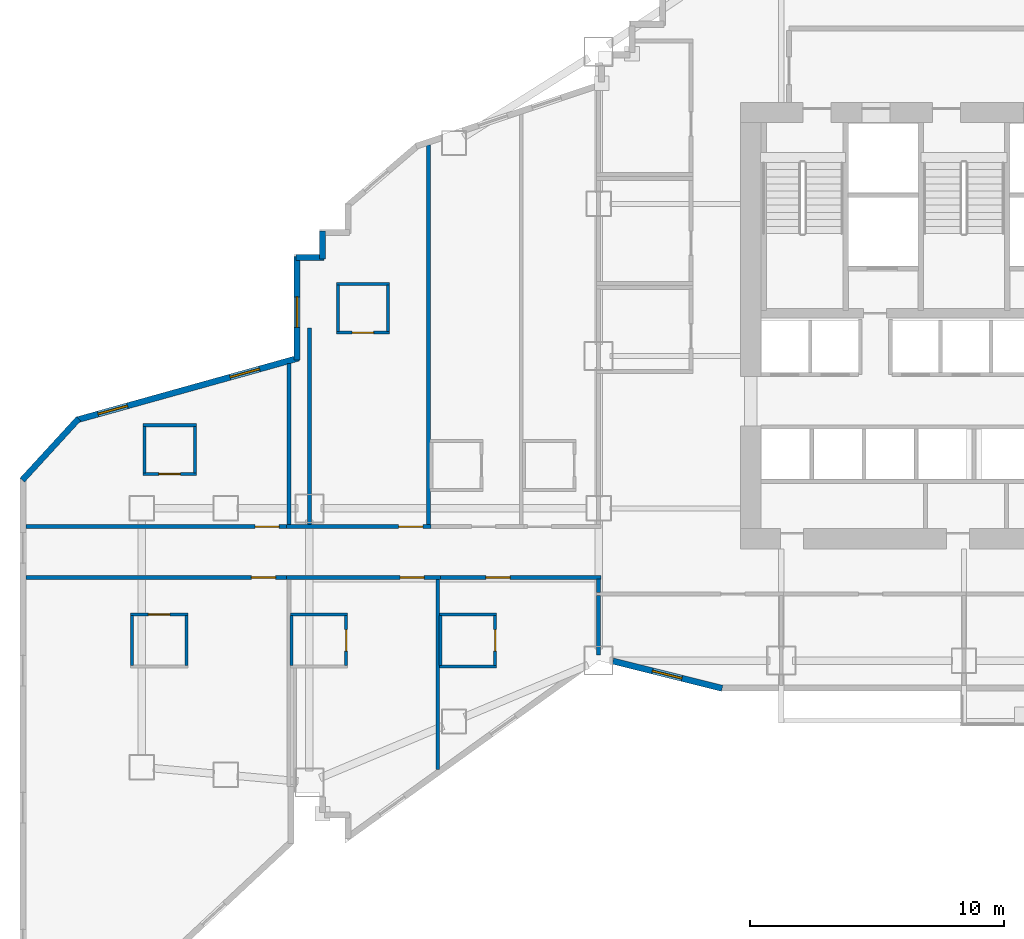
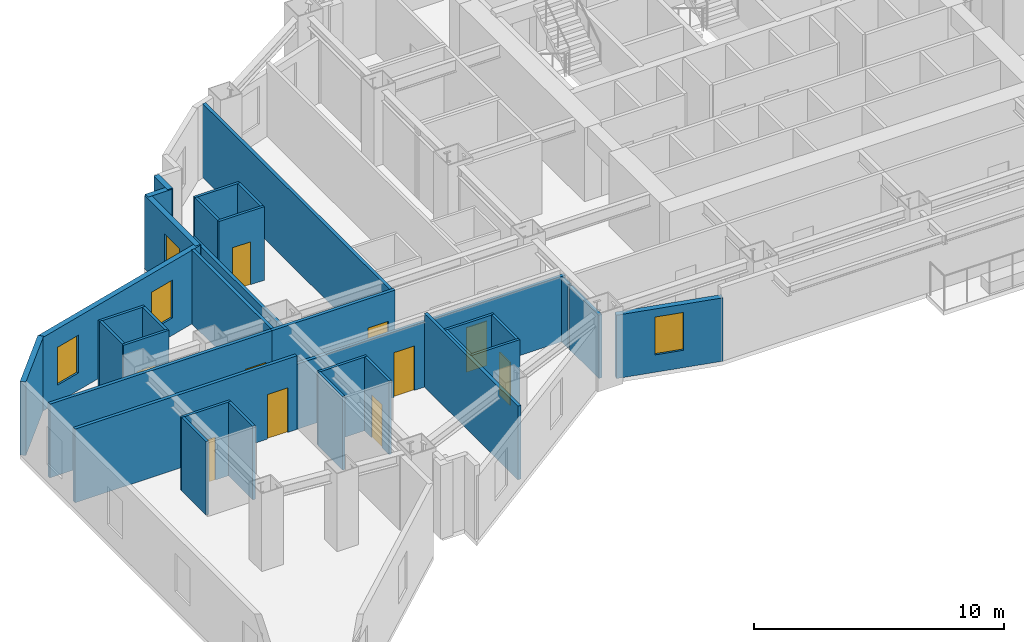
# One storey, part 7 of 15: 35 walls, 10 doors, 4 windows, 14 openings.
"""IFC4 building model written with IfcOpenShell, lengths in metres."""

from ifc_helpers import new_model, si_unit, direction, frame, frame_2d, origin, place, context, subcontext, project, spatial, rectangle, extrude, material, layer, layer_set, type_object, element, fill, save


model = new_model("IFC4")

# Units and contexts
model_context = context("Model", 3, precision=1e-05, world=origin(), true_north=direction((0.0, 1.0)))
body_context = subcontext(model_context, "Body", "Model", "MODEL_VIEW")
ifc_project = project(units=[si_unit("LENGTHUNIT", "METRE"), si_unit("AREAUNIT", "SQUARE_METRE"), si_unit("VOLUMEUNIT", "CUBIC_METRE"), si_unit("PLANEANGLEUNIT", "RADIAN"), si_unit("MASSUNIT", "GRAM", prefix="KILO")], contexts=[model_context])

# Site, building, storey
site_placement = place(None, origin())
site = spatial("IfcSite", under=ifc_project, at=site_placement, CompositionType="ELEMENT")
building_placement = place(site_placement, origin())
building = spatial("IfcBuilding", under=site, at=building_placement, Name="Haolan Belvedere Tower", CompositionType="ELEMENT")
storey_placement = place(building_placement, frame((0.0, 0.0, 70.39990234375)))
storey = spatial("IfcBuildingStorey", under=building, at=storey_placement, Name="L17", CompositionType="ELEMENT", Elevation=70.39990234375)

# Wall, opening, window
ifc_material_1 = material(Name="Precast concrete C40/50", Category="concrete")
ifc_layer_1 = layer(ifc_material_1, 0.239990234375, Name="Precast concrete C40/50")
ifc_layer_set_1 = layer_set([ifc_layer_1], Name="Precast concrete C40/50")
wall_type_1 = type_object("IfcWallType", Name="WL-EXT-240", PredefinedType="SOLIDWALL", material=ifc_layer_set_1)
wall_1_placement = place(storey_placement, frame((24.56689453125, 21.581787109375, 0.0), z_axis=(0.0, 0.0, 1.0), x_axis=(0.970148978127, -0.24250971164, 0.0)))
wall_1 = element("IfcWall", 1, at=wall_1_placement, inside=storey, type_object=wall_type_1, Name="L17 pale-metal exterior spandrel wall 12.1", PredefinedType="SOLIDWALL", context=body_context, shape_type="SweptSolid", body=[
    extrude(rectangle(XDim=4.43359375, YDim=0.239990234375, at=frame_2d((2.216796875, 0.0))), origin(), (0.0, 0.0, 1.0), 3.09716796875),
])
opening_1_placement = place(wall_1_placement, frame((1.60009765625, 0.0, 0.85009765625)))
opening_1 = element("IfcOpeningElement", 2, at=opening_1_placement, cuts=wall_1, Name="Opening W-01", PredefinedType="OPENING", context=body_context, shape_type="SweptSolid", body=[
    extrude(rectangle(XDim=1.199951171875, YDim=1.85009765625, at=frame_2d((0.60009765625, 0.925048828125))), frame((0.0, 0.1298828125, 0.0), z_axis=(0.0, -1.0, 0.0), x_axis=(1.0, 0.0, 0.0)), (0.0, 0.0, 1.0), 0.260009765625),
])
ifc_material_2 = material(Name="Anodised aluminium 6063-T6 and Low-E glass", Category="aluminium")
window_type = type_object("IfcWindowType", Name="WN-DECO-Z1", PartitioningType="SINGLE_PANEL", PredefinedType="WINDOW", material=ifc_material_2)
window_1_placement = place(opening_1_placement, origin())
window_1 = element("IfcWindow", 3, at=window_1_placement, inside=storey, type_object=window_type, Name="L17 Art Deco chevron window 1", OverallHeight=1.85009765625, OverallWidth=1.199951171875, PartitioningType="SINGLE_PANEL", PredefinedType="WINDOW", context=body_context, shape_type="SweptSolid", body=[
    extrude(rectangle(XDim=1.199951171875, YDim=1.85009765625, at=frame_2d((0.60009765625, 0.925048828125))), frame((0.0, 0.030029296875, 0.0), z_axis=(0.0, -1.0, 0.0), x_axis=(1.0, 0.0, 0.0)), (0.0, 0.0, 1.0), 0.06005859375),
])
fill(opening_1, window_1)

# Walls
wall_2_placement = place(storey_placement, frame((13.1201171875, 38.534912109375, 0.0), z_axis=(0.0, 0.0, 1.0), x_axis=(0.0, -1.0, 0.0)))
element("IfcWall", 4, at=wall_2_placement, inside=storey, type_object=wall_type_1, Name="L17 pale-metal exterior spandrel wall 54.1", PredefinedType="SOLIDWALL", context=body_context, shape_type="SweptSolid", body=[
    extrude(rectangle(XDim=1.10986328125, YDim=0.239990234375, at=frame_2d((0.554931640625, 0.0))), origin(), (0.0, 0.0, 1.0), 3.60009765625),
])
wall_3_placement = place(storey_placement, frame((13.175048828125, 37.47998046875, 0.0), z_axis=(0.0, 0.0, 1.0), x_axis=(-1.0, 0.0, 0.0)))
element("IfcWall", 5, at=wall_3_placement, inside=storey, type_object=wall_type_1, Name="L17 pale-metal exterior spandrel wall 55.1", PredefinedType="SOLIDWALL", context=body_context, shape_type="SweptSolid", body=[
    extrude(rectangle(XDim=1.110107421875, YDim=0.239990234375, at=frame_2d((0.55517578125, 0.0))), origin(), (0.0, 0.0, 1.0), 3.60009765625),
])

# Wall, opening, window
wall_4_placement = place(storey_placement, frame((12.1201171875, 37.534912109375, 0.0), z_axis=(0.0, 0.0, 1.0), x_axis=(0.0, -1.0, 0.0)))
wall_4 = element("IfcWall", 6, at=wall_4_placement, inside=storey, type_object=wall_type_1, Name="L17 pale-metal exterior spandrel wall 56.1", PredefinedType="SOLIDWALL", context=body_context, shape_type="SweptSolid", body=[
    extrude(rectangle(XDim=4.0810546875, YDim=0.239990234375, at=frame_2d((2.04052734375, 0.0))), origin(), (0.0, 0.0, 1.0), 3.60009765625),
])
opening_2_placement = place(wall_4_placement, frame((1.60009765625, 0.0, 0.85009765625)))
opening_2 = element("IfcOpeningElement", 7, at=opening_2_placement, cuts=wall_4, Name="Opening W-01", PredefinedType="OPENING", context=body_context, shape_type="SweptSolid", body=[
    extrude(rectangle(XDim=1.199951171875, YDim=1.85009765625, at=frame_2d((0.60009765625, 0.925048828125))), frame((0.0, 0.1298828125, 0.0), z_axis=(0.0, -1.0, 0.0), x_axis=(1.0, 0.0, 0.0)), (0.0, 0.0, 1.0), 0.260009765625),
])
window_2_placement = place(opening_2_placement, origin())
window_2 = element("IfcWindow", 8, at=window_2_placement, inside=storey, type_object=window_type, Name="L17 Art Deco chevron window 1", OverallHeight=1.85009765625, OverallWidth=1.199951171875, PartitioningType="SINGLE_PANEL", PredefinedType="WINDOW", context=body_context, shape_type="SweptSolid", body=[
    extrude(rectangle(XDim=1.199951171875, YDim=1.85009765625, at=frame_2d((0.60009765625, 0.925048828125))), frame((0.0, 0.030029296875, 0.0), z_axis=(0.0, -1.0, 0.0), x_axis=(1.0, 0.0, 0.0)), (0.0, 0.0, 1.0), 0.06005859375),
])
fill(opening_2, window_2)

# Wall, openings, windows
wall_5_placement = place(storey_placement, frame((12.173095703125, 33.523681640625, 0.0), z_axis=(0.0, 0.0, 1.0), x_axis=(-0.963197271032, -0.268795493036, 0.0)))
wall_5 = element("IfcWall", 9, at=wall_5_placement, inside=storey, type_object=wall_type_1, Name="L17 pale-metal exterior spandrel wall 57.1", PredefinedType="SOLIDWALL", context=body_context, shape_type="SweptSolid", body=[
    extrude(rectangle(XDim=9.095458984375, YDim=0.239990234375, at=frame_2d((4.5478515625, 0.0))), origin(), (0.0, 0.0, 1.0), 3.60009765625),
])
opening_3_placement = place(wall_5_placement, frame((1.60009765625, 0.0, 0.85009765625)))
opening_3 = element("IfcOpeningElement", 10, at=opening_3_placement, cuts=wall_5, Name="Opening W-01", PredefinedType="OPENING", context=body_context, shape_type="SweptSolid", body=[
    extrude(rectangle(XDim=1.199951171875, YDim=1.85009765625, at=frame_2d((0.60009765625, 0.925048828125))), frame((0.0, 0.1298828125, 0.0), z_axis=(0.0, -1.0, 0.0), x_axis=(1.0, 0.0, 0.0)), (0.0, 0.0, 1.0), 0.260009765625),
])
opening_4_placement = place(wall_5_placement, frame((7.0, 0.0, 0.85009765625)))
opening_4 = element("IfcOpeningElement", 11, at=opening_4_placement, cuts=wall_5, Name="Opening W-01", PredefinedType="OPENING", context=body_context, shape_type="SweptSolid", body=[
    extrude(rectangle(XDim=1.199951171875, YDim=1.85009765625, at=frame_2d((0.60009765625, 0.925048828125))), frame((0.0, 0.1298828125, 0.0), z_axis=(0.0, -1.0, 0.0), x_axis=(1.0, 0.0, 0.0)), (0.0, 0.0, 1.0), 0.260009765625),
])
window_3_placement = place(opening_3_placement, origin())
window_3 = element("IfcWindow", 12, at=window_3_placement, inside=storey, type_object=window_type, Name="L17 Art Deco chevron window 1", OverallHeight=1.85009765625, OverallWidth=1.199951171875, PartitioningType="SINGLE_PANEL", PredefinedType="WINDOW", context=body_context, shape_type="SweptSolid", body=[
    extrude(rectangle(XDim=1.199951171875, YDim=1.85009765625, at=frame_2d((0.60009765625, 0.925048828125))), frame((0.0, 0.030029296875, 0.0), z_axis=(0.0, -1.0, 0.0), x_axis=(1.0, 0.0, 0.0)), (0.0, 0.0, 1.0), 0.06005859375),
])
fill(opening_3, window_3)
window_4_placement = place(opening_4_placement, origin())
window_4 = element("IfcWindow", 13, at=window_4_placement, inside=storey, type_object=window_type, Name="L17 Art Deco chevron window 2", OverallHeight=1.85009765625, OverallWidth=1.199951171875, PartitioningType="SINGLE_PANEL", PredefinedType="WINDOW", context=body_context, shape_type="SweptSolid", body=[
    extrude(rectangle(XDim=1.199951171875, YDim=1.85009765625, at=frame_2d((0.60009765625, 0.925048828125))), frame((0.0, 0.030029296875, 0.0), z_axis=(0.0, -1.0, 0.0), x_axis=(1.0, 0.0, 0.0)), (0.0, 0.0, 1.0), 0.06005859375),
])
fill(opening_4, window_4)

# Walls
wall_6_placement = place(storey_placement, frame((3.50244140625, 31.134033203125, 0.0), z_axis=(0.0, 0.0, 1.0), x_axis=(-0.675781844312, -0.737101688302, 0.0)))
element("IfcWall", 14, at=wall_6_placement, inside=storey, type_object=wall_type_1, Name="L17 pale-metal exterior spandrel wall 58.1", PredefinedType="SOLIDWALL", context=body_context, shape_type="SweptSolid", body=[
    extrude(rectangle(XDim=3.28466796875, YDim=0.239990234375, at=frame_2d((1.642333984375, 0.0))), origin(), (0.0, 0.0, 1.0), 3.60009765625),
])
ifc_material_3 = material(Name="Double gypsum acoustic stud partition", Category="masonry")
ifc_layer_2 = layer(ifc_material_3, 0.14990234375, Name="Double gypsum acoustic stud partition")
ifc_layer_set_2 = layer_set([ifc_layer_2], Name="Double gypsum acoustic stud partition")
wall_type_2 = type_object("IfcWallType", Name="WL-PART-150", PredefinedType="PARTITIONING", material=ifc_layer_set_2)
wall_7_placement = place(storey_placement, frame((24.0, 21.818603515625, 0.0), z_axis=(0.0, 0.0, 1.0), x_axis=(0.0, 1.0, 0.0)))
element("IfcWall", 15, at=wall_7_placement, inside=storey, type_object=wall_type_2, Name="L17 interior partition IW-L17-KS1-W", PredefinedType="PARTITIONING", context=body_context, shape_type="SweptSolid", body=[
    extrude(rectangle(XDim=2.34130859375, YDim=0.14990234375, at=frame_2d((1.170654296875, 0.0))), origin(), (0.0, 0.0, 1.0), 3.09716796875),
])

# Wall, opening, door
wall_8_placement = place(storey_placement, frame((11.699951171875, 26.8798828125, 0.0), z_axis=(0.0, 0.0, 1.0), x_axis=(1.0, 0.0, 0.0)))
wall_8 = element("IfcWall", 16, at=wall_8_placement, inside=storey, type_object=wall_type_2, Name="L17 interior partition IW-L17-T2N1-S", PredefinedType="PARTITIONING", context=body_context, shape_type="SweptSolid", body=[
    extrude(rectangle(XDim=5.68994140625, YDim=0.14990234375, at=frame_2d((2.844970703125, 0.0))), origin(), (0.0, 0.0, 1.0), 3.60009765625),
])
opening_5_placement = place(wall_8_placement, frame((4.422119140625, 0.0, 0.0)))
opening_5 = element("IfcOpeningElement", 17, at=opening_5_placement, cuts=wall_8, Name="Opening ID-01", PredefinedType="OPENING", context=body_context, shape_type="SweptSolid", body=[
    extrude(rectangle(XDim=0.949951171875, YDim=2.179931640625, at=frame_2d((0.47509765625, 1.08984375))), frame((0.0, 0.0849609375, 0.0), z_axis=(0.0, -1.0, 0.0), x_axis=(1.0, 0.0, 0.0)), (0.0, 0.0, 1.0), 0.169921875),
])
ifc_material_4 = material(Name="Acoustic walnut veneer fire-rated timber", Category="wood")
door_type_1 = type_object("IfcDoorType", Name="DR-SUITE-950", OperationType="NOTDEFINED", PredefinedType="DOOR", material=ifc_material_4)
door_1_placement = place(opening_5_placement, origin())
door_1 = element("IfcDoor", 18, at=door_1_placement, inside=storey, type_object=door_type_1, Name="L17 door ID-L17-T2N1-ENT", OperationType="SINGLE_SWING_LEFT", OverallHeight=2.179931640625, OverallWidth=0.949951171875, PredefinedType="DOOR", context=body_context, shape_type="SweptSolid", body=[
    extrude(rectangle(XDim=0.949951171875, YDim=2.179931640625, at=frame_2d((0.47509765625, 1.08984375))), frame((0.0, 0.02490234375, 0.0), z_axis=(0.0, -1.0, 0.0), x_axis=(1.0, 0.0, 0.0)), (0.0, 0.0, 1.0), 0.050048828125),
])
fill(opening_5, door_1)

# Walls
wall_9_placement = place(storey_placement, frame((11.800048828125, 26.93994140625, 0.0), z_axis=(0.0, 0.0, 1.0), x_axis=(0.0, 1.0, 0.0)))
element("IfcWall", 19, at=wall_9_placement, inside=storey, type_object=wall_type_2, Name="L17 interior partition IW-L17-T2N1-W", PredefinedType="PARTITIONING", context=body_context, shape_type="SweptSolid", body=[
    extrude(rectangle(XDim=6.37060546875, YDim=0.14990234375, at=frame_2d((3.185302734375, 0.0))), origin(), (0.0, 0.0, 1.0), 3.60009765625),
])
wall_10_placement = place(storey_placement, frame((17.2900390625, 26.93994140625, 0.0), z_axis=(0.0, 0.0, 1.0), x_axis=(0.0, 1.0, 0.0)))
element("IfcWall", 20, at=wall_10_placement, inside=storey, type_object=wall_type_2, Name="L17 interior partition IW-L17-T2N1-E", PredefinedType="PARTITIONING", context=body_context, shape_type="SweptSolid", body=[
    extrude(rectangle(XDim=14.986328125, YDim=0.14990234375, at=frame_2d((7.4931640625, 0.0))), origin(), (0.0, 0.0, 1.0), 3.60009765625),
])

# Wall, opening, door
wall_11_placement = place(storey_placement, frame((11.699951171875, 24.8701171875, 0.0), z_axis=(0.0, 0.0, 1.0), x_axis=(1.0, 0.0, 0.0)))
wall_11 = element("IfcWall", 21, at=wall_11_placement, inside=storey, type_object=wall_type_2, Name="L17 interior partition IW-L17-T2S1-N", PredefinedType="PARTITIONING", context=body_context, shape_type="SweptSolid", body=[
    extrude(rectangle(XDim=6.06005859375, YDim=0.14990234375, at=frame_2d((3.030029296875, 0.0))), origin(), (0.0, 0.0, 1.0), 3.18505859375),
])
opening_6_placement = place(wall_11_placement, frame((5.427490234375, 0.0, 0.0), z_axis=(0.0, 0.0, 1.0), x_axis=(-1.0, 0.0, 0.0)))
opening_6 = element("IfcOpeningElement", 22, at=opening_6_placement, cuts=wall_11, Name="Opening ID-01", PredefinedType="OPENING", context=body_context, shape_type="SweptSolid", body=[
    extrude(rectangle(XDim=0.949951171875, YDim=2.179931640625, at=frame_2d((0.47509765625, 1.08984375))), frame((0.0, 0.0849609375, 0.0), z_axis=(0.0, -1.0, 0.0), x_axis=(1.0, 0.0, 0.0)), (0.0, 0.0, 1.0), 0.169921875),
])
door_2_placement = place(opening_6_placement, origin())
door_2 = element("IfcDoor", 23, at=door_2_placement, inside=storey, type_object=door_type_1, Name="L17 door ID-L17-T2S1-ENT", OperationType="SINGLE_SWING_RIGHT", OverallHeight=2.179931640625, OverallWidth=0.949951171875, PredefinedType="DOOR", context=body_context, shape_type="SweptSolid", body=[
    extrude(rectangle(XDim=0.949951171875, YDim=2.179931640625, at=frame_2d((0.47509765625, 1.08984375))), frame((0.0, 0.02490234375, 0.0), z_axis=(0.0, -1.0, 0.0), x_axis=(1.0, 0.0, 0.0)), (0.0, 0.0, 1.0), 0.050048828125),
])
fill(opening_6, door_2)

# Wall
wall_12_placement = place(storey_placement, frame((17.659912109375, 17.3125, 0.0), z_axis=(0.0, 0.0, 1.0), x_axis=(0.0, 1.0, 0.0)))
element("IfcWall", 24, at=wall_12_placement, inside=storey, type_object=wall_type_2, Name="L17 interior partition IW-L17-T2S1-E", PredefinedType="PARTITIONING", context=body_context, shape_type="SweptSolid", body=[
    extrude(rectangle(XDim=7.49755859375, YDim=0.14990234375, at=frame_2d((3.748779296875, 0.0))), origin(), (0.0, 0.0, 1.0), 3.60009765625),
])

# Wall, opening, door
wall_13_placement = place(storey_placement, frame((17.761962890625, 24.8701171875, 0.0), z_axis=(0.0, 0.0, 1.0), x_axis=(1.0, 0.0, 0.0)))
wall_13 = element("IfcWall", 25, at=wall_13_placement, inside=storey, type_object=wall_type_2, Name="L17 interior partition IW-L17-T2S2-N", PredefinedType="PARTITIONING", context=body_context, shape_type="SweptSolid", body=[
    extrude(rectangle(XDim=6.338134765625, YDim=0.14990234375, at=frame_2d((3.1689453125, 0.0))), origin(), (0.0, 0.0, 1.0), 3.18505859375),
])
opening_7_placement = place(wall_13_placement, frame((2.7470703125, 0.0, 0.0), z_axis=(0.0, 0.0, 1.0), x_axis=(-1.0, 0.0, 0.0)))
opening_7 = element("IfcOpeningElement", 26, at=opening_7_placement, cuts=wall_13, Name="Opening ID-01", PredefinedType="OPENING", context=body_context, shape_type="SweptSolid", body=[
    extrude(rectangle(XDim=0.949951171875, YDim=2.179931640625, at=frame_2d((0.47509765625, 1.08984375))), frame((0.0, 0.0849609375, 0.0), z_axis=(0.0, -1.0, 0.0), x_axis=(1.0, 0.0, 0.0)), (0.0, 0.0, 1.0), 0.169921875),
])
door_3_placement = place(opening_7_placement, origin())
door_3 = element("IfcDoor", 27, at=door_3_placement, inside=storey, type_object=door_type_1, Name="L17 door ID-L17-T2S2-ENT", OperationType="SINGLE_SWING_LEFT", OverallHeight=2.179931640625, OverallWidth=0.949951171875, PredefinedType="DOOR", context=body_context, shape_type="SweptSolid", body=[
    extrude(rectangle(XDim=0.949951171875, YDim=2.179931640625, at=frame_2d((0.47509765625, 1.08984375))), frame((0.0, 0.02490234375, 0.0), z_axis=(0.0, -1.0, 0.0), x_axis=(1.0, 0.0, 0.0)), (0.0, 0.0, 1.0), 0.050048828125),
])
fill(opening_7, door_3)

# Wall
wall_14_placement = place(storey_placement, frame((24.0, 24.280029296875, 0.0), z_axis=(0.0, 0.0, 1.0), x_axis=(0.0, 1.0, 0.0)))
element("IfcWall", 28, at=wall_14_placement, inside=storey, type_object=wall_type_2, Name="L17 interior partition IW-L17-T2S2-E", PredefinedType="PARTITIONING", context=body_context, shape_type="SweptSolid", body=[
    extrude(rectangle(XDim=0.530029296875, YDim=0.14990234375, at=frame_2d((0.26513671875, 0.0))), origin(), (0.0, 0.0, 1.0), 3.09716796875),
])

# Wall, opening, door
wall_15_placement = place(storey_placement, frame((1.425048828125, 24.8701171875, 0.0), z_axis=(0.0, 0.0, 1.0), x_axis=(1.0, 0.0, 0.0)))
wall_15 = element("IfcWall", 29, at=wall_15_placement, inside=storey, type_object=wall_type_2, Name="L17 interior partition IW-L17-T1S1-N", PredefinedType="PARTITIONING", context=body_context, shape_type="SweptSolid", body=[
    extrude(rectangle(XDim=10.27294921875, YDim=0.14990234375, at=frame_2d((5.136474609375, 0.0))), origin(), (0.0, 0.0, 1.0), 3.60009765625),
])
opening_8_placement = place(wall_15_placement, frame((9.84375, 0.0, 0.0), z_axis=(0.0, 0.0, 1.0), x_axis=(-1.0, 0.0, 0.0)))
opening_8 = element("IfcOpeningElement", 30, at=opening_8_placement, cuts=wall_15, Name="Opening ID-01", PredefinedType="OPENING", context=body_context, shape_type="SweptSolid", body=[
    extrude(rectangle(XDim=0.949951171875, YDim=2.179931640625, at=frame_2d((0.47509765625, 1.08984375))), frame((0.0, 0.0849609375, 0.0), z_axis=(0.0, -1.0, 0.0), x_axis=(1.0, 0.0, 0.0)), (0.0, 0.0, 1.0), 0.169921875),
])
door_4_placement = place(opening_8_placement, origin())
door_4 = element("IfcDoor", 31, at=door_4_placement, inside=storey, type_object=door_type_1, Name="L17 door ID-L17-T1S1-ENT", OperationType="SINGLE_SWING_LEFT", OverallHeight=2.179931640625, OverallWidth=0.949951171875, PredefinedType="DOOR", context=body_context, shape_type="SweptSolid", body=[
    extrude(rectangle(XDim=0.949951171875, YDim=2.179931640625, at=frame_2d((0.47509765625, 1.08984375))), frame((0.0, 0.02490234375, 0.0), z_axis=(0.0, -1.0, 0.0), x_axis=(1.0, 0.0, 0.0)), (0.0, 0.0, 1.0), 0.050048828125),
])
fill(opening_8, door_4)

wall_16_placement = place(storey_placement, frame((1.425048828125, 26.8798828125, 0.0), z_axis=(0.0, 0.0, 1.0), x_axis=(1.0, 0.0, 0.0)))
wall_16 = element("IfcWall", 32, at=wall_16_placement, inside=storey, type_object=wall_type_2, Name="L17 interior partition IW-L17-T1N1-S", PredefinedType="PARTITIONING", context=body_context, shape_type="SweptSolid", body=[
    extrude(rectangle(XDim=10.27294921875, YDim=0.14990234375, at=frame_2d((5.136474609375, 0.0))), origin(), (0.0, 0.0, 1.0), 3.60009765625),
])
opening_9_placement = place(wall_16_placement, frame((9.036376953125, 0.0, 0.0)))
opening_9 = element("IfcOpeningElement", 33, at=opening_9_placement, cuts=wall_16, Name="Opening ID-02", PredefinedType="OPENING", context=body_context, shape_type="SweptSolid", body=[
    extrude(rectangle(XDim=0.949951171875, YDim=2.14990234375, at=frame_2d((0.47509765625, 1.074951171875))), frame((0.0, 0.0849609375, 0.0), z_axis=(0.0, -1.0, 0.0), x_axis=(1.0, 0.0, 0.0)), (0.0, 0.0, 1.0), 0.169921875),
])
ifc_material_5 = material(Name="Acoustic oak veneer fire-rated timber", Category="wood")
door_type_2 = type_object("IfcDoorType", Name="DR-GUEST-950", OperationType="NOTDEFINED", PredefinedType="DOOR", material=ifc_material_5)
door_5_placement = place(opening_9_placement, origin())
door_5 = element("IfcDoor", 34, at=door_5_placement, inside=storey, type_object=door_type_2, Name="L17 door ID-L17-T1N1-ENT", OperationType="SINGLE_SWING_LEFT", OverallHeight=2.14990234375, OverallWidth=0.949951171875, PredefinedType="DOOR", context=body_context, shape_type="SweptSolid", body=[
    extrude(rectangle(XDim=0.949951171875, YDim=2.14990234375, at=frame_2d((0.47509765625, 1.074951171875))), frame((0.0, 0.02490234375, 0.0), z_axis=(0.0, -1.0, 0.0), x_axis=(1.0, 0.0, 0.0)), (0.0, 0.0, 1.0), 0.050048828125),
])
fill(opening_9, door_5)

# Walls
wall_17_placement = place(storey_placement, frame((12.60009765625, 26.93994140625, 0.0), z_axis=(0.0, 0.0, 1.0), x_axis=(0.0, 1.0, 0.0)))
element("IfcWall", 35, at=wall_17_placement, inside=storey, type_object=wall_type_2, Name="L17 interior partition IW-L17-T1N1-E", PredefinedType="PARTITIONING", context=body_context, shape_type="SweptSolid", body=[
    extrude(rectangle(XDim=7.760009765625, YDim=0.14990234375, at=frame_2d((3.8798828125, 0.0))), origin(), (0.0, 0.0, 1.0), 3.09716796875),
])
ifc_material_6 = material(Name="Moisture-resistant gypsum tile partition", Category="masonry")
ifc_layer_3 = layer(ifc_material_6, 0.1201171875, Name="Moisture-resistant gypsum tile partition")
ifc_layer_set_3 = layer_set([ifc_layer_3], Name="Moisture-resistant gypsum tile partition")
wall_type_3 = type_object("IfcWallType", Name="WL-WET-120", PredefinedType="PARTITIONING", material=ifc_layer_set_3)
wall_18_placement = place(storey_placement, frame((13.659912109375, 36.446044921875, 0.0), z_axis=(0.0, 0.0, 1.0), x_axis=(1.0, 0.0, 0.0)))
element("IfcWall", 36, at=wall_18_placement, inside=storey, type_object=wall_type_3, Name="L17 interior partition IW-L17-T2N1-BN", PredefinedType="PARTITIONING", context=body_context, shape_type="SweptSolid", body=[
    extrude(rectangle(XDim=2.10009765625, YDim=0.1201171875, at=frame_2d((1.050048828125, 0.0))), origin(), (0.0, 0.0, 1.0), 3.60009765625),
])

# Wall, opening, door
wall_19_placement = place(storey_placement, frame((13.659912109375, 34.52587890625, 0.0), z_axis=(0.0, 0.0, 1.0), x_axis=(1.0, 0.0, 0.0)))
wall_19 = element("IfcWall", 37, at=wall_19_placement, inside=storey, type_object=wall_type_3, Name="L17 interior partition IW-L17-T2N1-BS", PredefinedType="PARTITIONING", context=body_context, shape_type="SweptSolid", body=[
    extrude(rectangle(XDim=2.10009765625, YDim=0.1201171875, at=frame_2d((1.050048828125, 0.0))), origin(), (0.0, 0.0, 1.0), 3.60009765625),
])
opening_10_placement = place(wall_19_placement, frame((0.625, 0.0, 0.0)))
opening_10 = element("IfcOpeningElement", 38, at=opening_10_placement, cuts=wall_19, Name="Opening ID-05", PredefinedType="OPENING", context=body_context, shape_type="SweptSolid", body=[
    extrude(rectangle(XDim=0.85009765625, YDim=2.10009765625, at=frame_2d((0.425048828125, 1.050048828125))), frame((0.0, 0.070068359375, 0.0), z_axis=(0.0, -1.0, 0.0), x_axis=(1.0, 0.0, 0.0)), (0.0, 0.0, 1.0), 0.14013671875),
])
ifc_material_7 = material(Name="Moisture-resistant lacquered timber", Category="wood")
door_type_3 = type_object("IfcDoorType", Name="DR-BATH-850", OperationType="NOTDEFINED", PredefinedType="DOOR", material=ifc_material_7)
door_6_placement = place(opening_10_placement, origin())
door_6 = element("IfcDoor", 39, at=door_6_placement, inside=storey, type_object=door_type_3, Name="L17 door ID-L17-T2N1-BATH", OperationType="SINGLE_SWING_RIGHT", OverallHeight=2.10009765625, OverallWidth=0.85009765625, PredefinedType="DOOR", context=body_context, shape_type="SweptSolid", body=[
    extrude(rectangle(XDim=0.85009765625, YDim=2.10009765625, at=frame_2d((0.425048828125, 1.050048828125))), frame((0.0, 0.02490234375, 0.0), z_axis=(0.0, -1.0, 0.0), x_axis=(1.0, 0.0, 0.0)), (0.0, 0.0, 1.0), 0.050048828125),
])
fill(opening_10, door_6)

# Walls
for number, where, z_axis, x_axis, name in (
    (40, (13.719970703125, 34.571044921875, 0.0), (0.0, 0.0, 1.0), (0.0, 1.0, 0.0), "L17 interior partition IW-L17-T2N1-BW"),
    (41, (15.699951171875, 34.571044921875, 0.0), (0.0, 0.0, 1.0), (0.0, 1.0, 0.0), "L17 interior partition IW-L17-T2N1-BE"),
):
    element("IfcWall", number, at=place(storey_placement, frame(where, z_axis=z_axis, x_axis=x_axis)), inside=storey, type_object=wall_type_3, Name=name, PredefinedType="PARTITIONING", context=body_context, shape_type="SweptSolid", body=[
        extrude(rectangle(XDim=1.829833984375, YDim=0.1201171875, at=frame_2d((0.9150390625, 0.0))), origin(), (0.0, 0.0, 1.0), 3.60009765625),
    ])
wall_20_placement = place(storey_placement, frame((11.860107421875, 23.419921875, 0.0), z_axis=(0.0, 0.0, 1.0), x_axis=(1.0, 0.0, 0.0)))
element("IfcWall", 42, at=wall_20_placement, inside=storey, type_object=wall_type_3, Name="L17 interior partition IW-L17-T2S1-BN", PredefinedType="PARTITIONING", context=body_context, shape_type="SweptSolid", body=[
    extrude(rectangle(XDim=2.25, YDim=0.1201171875, at=frame_2d((1.125, 0.0))), origin(), (0.0, 0.0, 1.0), 3.60009765625),
])
wall_21_placement = place(storey_placement, frame((11.89990234375, 21.4150390625, 0.0), z_axis=(0.0, 0.0, 1.0), x_axis=(0.0, 1.0, 0.0)))
element("IfcWall", 43, at=wall_21_placement, inside=storey, type_object=wall_type_3, Name="L17 interior partition IW-L17-T2S1-BW", PredefinedType="PARTITIONING", context=body_context, shape_type="SweptSolid", body=[
    extrude(rectangle(XDim=1.9599609375, YDim=0.1201171875, at=frame_2d((0.97998046875, 0.0))), origin(), (0.0, 0.0, 1.0), 3.60009765625),
])

# Wall, opening, door
wall_22_placement = place(storey_placement, frame((14.050048828125, 21.4150390625, 0.0), z_axis=(0.0, 0.0, 1.0), x_axis=(0.0, 1.0, 0.0)))
wall_22 = element("IfcWall", 44, at=wall_22_placement, inside=storey, type_object=wall_type_3, Name="L17 interior partition IW-L17-T2S1-BE", PredefinedType="PARTITIONING", context=body_context, shape_type="SweptSolid", body=[
    extrude(rectangle(XDim=1.9599609375, YDim=0.1201171875, at=frame_2d((0.97998046875, 0.0))), origin(), (0.0, 0.0, 1.0), 3.60009765625),
])
opening_11_placement = place(wall_22_placement, frame((0.554931640625, 0.0, 0.0)))
opening_11 = element("IfcOpeningElement", 45, at=opening_11_placement, cuts=wall_22, Name="Opening ID-05", PredefinedType="OPENING", context=body_context, shape_type="SweptSolid", body=[
    extrude(rectangle(XDim=0.85009765625, YDim=2.10009765625, at=frame_2d((0.425048828125, 1.050048828125))), frame((0.0, 0.070068359375, 0.0), z_axis=(0.0, -1.0, 0.0), x_axis=(1.0, 0.0, 0.0)), (0.0, 0.0, 1.0), 0.14013671875),
])
door_7_placement = place(opening_11_placement, origin())
door_7 = element("IfcDoor", 46, at=door_7_placement, inside=storey, type_object=door_type_3, Name="L17 door ID-L17-T2S1-BATH", OperationType="SINGLE_SWING_LEFT", OverallHeight=2.10009765625, OverallWidth=0.85009765625, PredefinedType="DOOR", context=body_context, shape_type="SweptSolid", body=[
    extrude(rectangle(XDim=0.85009765625, YDim=2.10009765625, at=frame_2d((0.425048828125, 1.050048828125))), frame((0.0, 0.02490234375, 0.0), z_axis=(0.0, -1.0, 0.0), x_axis=(1.0, 0.0, 0.0)), (0.0, 0.0, 1.0), 0.050048828125),
])
fill(opening_11, door_7)

# Walls
for number, where, z_axis, x_axis, name in (
    (47, (17.719970703125, 23.419921875, 0.0), (0.0, 0.0, 1.0), (1.0, 0.0, 0.0), "L17 interior partition IW-L17-T2S2-BN"),
    (48, (17.719970703125, 21.3701171875, 0.0), (0.0, 0.0, 1.0), (1.0, 0.0, 0.0), "L17 interior partition IW-L17-T2S2-BS"),
):
    element("IfcWall", number, at=place(storey_placement, frame(where, z_axis=z_axis, x_axis=x_axis)), inside=storey, type_object=wall_type_3, Name=name, PredefinedType="PARTITIONING", context=body_context, shape_type="SweptSolid", body=[
        extrude(rectangle(XDim=2.26513671875, YDim=0.1201171875, at=frame_2d((1.132568359375, 0.0))), origin(), (0.0, 0.0, 1.0), 3.60009765625),
    ])
wall_23_placement = place(storey_placement, frame((17.77490234375, 21.4150390625, 0.0), z_axis=(0.0, 0.0, 1.0), x_axis=(0.0, 1.0, 0.0)))
element("IfcWall", 49, at=wall_23_placement, inside=storey, type_object=wall_type_3, Name="L17 interior partition IW-L17-T2S2-BW", PredefinedType="PARTITIONING", context=body_context, shape_type="SweptSolid", body=[
    extrude(rectangle(XDim=1.9599609375, YDim=0.1201171875, at=frame_2d((0.97998046875, 0.0))), origin(), (0.0, 0.0, 1.0), 3.60009765625),
])

# Wall, opening, door
wall_24_placement = place(storey_placement, frame((19.925048828125, 21.4150390625, 0.0), z_axis=(0.0, 0.0, 1.0), x_axis=(0.0, 1.0, 0.0)))
wall_24 = element("IfcWall", 50, at=wall_24_placement, inside=storey, type_object=wall_type_3, Name="L17 interior partition IW-L17-T2S2-BE", PredefinedType="PARTITIONING", context=body_context, shape_type="SweptSolid", body=[
    extrude(rectangle(XDim=1.9599609375, YDim=0.1201171875, at=frame_2d((0.97998046875, 0.0))), origin(), (0.0, 0.0, 1.0), 3.60009765625),
])
opening_12_placement = place(wall_24_placement, frame((0.554931640625, 0.0, 0.0)))
opening_12 = element("IfcOpeningElement", 51, at=opening_12_placement, cuts=wall_24, Name="Opening ID-05", PredefinedType="OPENING", context=body_context, shape_type="SweptSolid", body=[
    extrude(rectangle(XDim=0.85009765625, YDim=2.10009765625, at=frame_2d((0.425048828125, 1.050048828125))), frame((0.0, 0.070068359375, 0.0), z_axis=(0.0, -1.0, 0.0), x_axis=(1.0, 0.0, 0.0)), (0.0, 0.0, 1.0), 0.14013671875),
])
door_8_placement = place(opening_12_placement, origin())
door_8 = element("IfcDoor", 52, at=door_8_placement, inside=storey, type_object=door_type_3, Name="L17 door ID-L17-T2S2-BATH", OperationType="SINGLE_SWING_RIGHT", OverallHeight=2.10009765625, OverallWidth=0.85009765625, PredefinedType="DOOR", context=body_context, shape_type="SweptSolid", body=[
    extrude(rectangle(XDim=0.85009765625, YDim=2.10009765625, at=frame_2d((0.425048828125, 1.050048828125))), frame((0.0, 0.02490234375, 0.0), z_axis=(0.0, -1.0, 0.0), x_axis=(1.0, 0.0, 0.0)), (0.0, 0.0, 1.0), 0.050048828125),
])
fill(opening_12, door_8)

wall_25_placement = place(storey_placement, frame((5.5400390625, 23.419921875, 0.0), z_axis=(0.0, 0.0, 1.0), x_axis=(1.0, 0.0, 0.0)))
wall_25 = element("IfcWall", 53, at=wall_25_placement, inside=storey, type_object=wall_type_3, Name="L17 interior partition IW-L17-T1S1-BN", PredefinedType="PARTITIONING", context=body_context, shape_type="SweptSolid", body=[
    extrude(rectangle(XDim=2.27001953125, YDim=0.1201171875, at=frame_2d((1.135009765625, 0.0))), origin(), (0.0, 0.0, 1.0), 3.60009765625),
])
opening_13_placement = place(wall_25_placement, frame((1.56005859375, 0.0, 0.0), z_axis=(0.0, 0.0, 1.0), x_axis=(-1.0, 0.0, 0.0)))
opening_13 = element("IfcOpeningElement", 54, at=opening_13_placement, cuts=wall_25, Name="Opening ID-05", PredefinedType="OPENING", context=body_context, shape_type="SweptSolid", body=[
    extrude(rectangle(XDim=0.85009765625, YDim=2.10009765625, at=frame_2d((0.425048828125, 1.050048828125))), frame((0.0, 0.070068359375, 0.0), z_axis=(0.0, -1.0, 0.0), x_axis=(1.0, 0.0, 0.0)), (0.0, 0.0, 1.0), 0.14013671875),
])
door_9_placement = place(opening_13_placement, origin())
door_9 = element("IfcDoor", 55, at=door_9_placement, inside=storey, type_object=door_type_3, Name="L17 door ID-L17-T1S1-BATH", OperationType="SINGLE_SWING_RIGHT", OverallHeight=2.10009765625, OverallWidth=0.85009765625, PredefinedType="DOOR", context=body_context, shape_type="SweptSolid", body=[
    extrude(rectangle(XDim=0.85009765625, YDim=2.10009765625, at=frame_2d((0.425048828125, 1.050048828125))), frame((0.0, 0.02490234375, 0.0), z_axis=(0.0, -1.0, 0.0), x_axis=(1.0, 0.0, 0.0)), (0.0, 0.0, 1.0), 0.050048828125),
])
fill(opening_13, door_9)

# Walls
for number, where, z_axis, x_axis, name in (
    (56, (5.60009765625, 21.4150390625, 0.0), (0.0, 0.0, 1.0), (0.0, 1.0, 0.0), "L17 interior partition IW-L17-T1S1-BW"),
    (57, (7.75, 21.4150390625, 0.0), (0.0, 0.0, 1.0), (0.0, 1.0, 0.0), "L17 interior partition IW-L17-T1S1-BE"),
):
    element("IfcWall", number, at=place(storey_placement, frame(where, z_axis=z_axis, x_axis=x_axis)), inside=storey, type_object=wall_type_3, Name=name, PredefinedType="PARTITIONING", context=body_context, shape_type="SweptSolid", body=[
        extrude(rectangle(XDim=1.9599609375, YDim=0.1201171875, at=frame_2d((0.97998046875, 0.0))), origin(), (0.0, 0.0, 1.0), 3.60009765625),
    ])
wall_26_placement = place(storey_placement, frame((6.04296875, 30.876953125, 0.0), z_axis=(0.0, 0.0, 1.0), x_axis=(1.0, 0.0, 0.0)))
element("IfcWall", 58, at=wall_26_placement, inside=storey, type_object=wall_type_3, Name="L17 interior partition IW-L17-T1N1-BN", PredefinedType="PARTITIONING", context=body_context, shape_type="SweptSolid", body=[
    extrude(rectangle(XDim=2.10009765625, YDim=0.1201171875, at=frame_2d((1.050048828125, 0.0))), origin(), (0.0, 0.0, 1.0), 3.60009765625),
])

# Wall, opening, door
wall_27_placement = place(storey_placement, frame((6.04296875, 28.95703125, 0.0), z_axis=(0.0, 0.0, 1.0), x_axis=(1.0, 0.0, 0.0)))
wall_27 = element("IfcWall", 59, at=wall_27_placement, inside=storey, type_object=wall_type_3, Name="L17 interior partition IW-L17-T1N1-BS", PredefinedType="PARTITIONING", context=body_context, shape_type="SweptSolid", body=[
    extrude(rectangle(XDim=2.10009765625, YDim=0.1201171875, at=frame_2d((1.050048828125, 0.0))), origin(), (0.0, 0.0, 1.0), 3.60009765625),
])
opening_14_placement = place(wall_27_placement, frame((0.625, 0.0, 0.0)))
opening_14 = element("IfcOpeningElement", 60, at=opening_14_placement, cuts=wall_27, Name="Opening ID-05", PredefinedType="OPENING", context=body_context, shape_type="SweptSolid", body=[
    extrude(rectangle(XDim=0.85009765625, YDim=2.10009765625, at=frame_2d((0.425048828125, 1.050048828125))), frame((0.0, 0.070068359375, 0.0), z_axis=(0.0, -1.0, 0.0), x_axis=(1.0, 0.0, 0.0)), (0.0, 0.0, 1.0), 0.14013671875),
])
door_10_placement = place(opening_14_placement, origin())
door_10 = element("IfcDoor", 61, at=door_10_placement, inside=storey, type_object=door_type_3, Name="L17 door ID-L17-T1N1-BATH", OperationType="SINGLE_SWING_RIGHT", OverallHeight=2.10009765625, OverallWidth=0.85009765625, PredefinedType="DOOR", context=body_context, shape_type="SweptSolid", body=[
    extrude(rectangle(XDim=0.85009765625, YDim=2.10009765625, at=frame_2d((0.425048828125, 1.050048828125))), frame((0.0, 0.02490234375, 0.0), z_axis=(0.0, -1.0, 0.0), x_axis=(1.0, 0.0, 0.0)), (0.0, 0.0, 1.0), 0.050048828125),
])
fill(opening_14, door_10)

# Walls
for number, where, z_axis, x_axis, name in (
    (62, (6.10302734375, 29.001953125, 0.0), (0.0, 0.0, 1.0), (0.0, 1.0, 0.0), "L17 interior partition IW-L17-T1N1-BW"),
    (63, (8.0830078125, 29.001953125, 0.0), (0.0, 0.0, 1.0), (0.0, 1.0, 0.0), "L17 interior partition IW-L17-T1N1-BE"),
):
    element("IfcWall", number, at=place(storey_placement, frame(where, z_axis=z_axis, x_axis=x_axis)), inside=storey, type_object=wall_type_3, Name=name, PredefinedType="PARTITIONING", context=body_context, shape_type="SweptSolid", body=[
        extrude(rectangle(XDim=1.830078125, YDim=0.1201171875, at=frame_2d((0.9150390625, 0.0))), origin(), (0.0, 0.0, 1.0), 3.60009765625),
    ])

save(model, "model.ifc")
